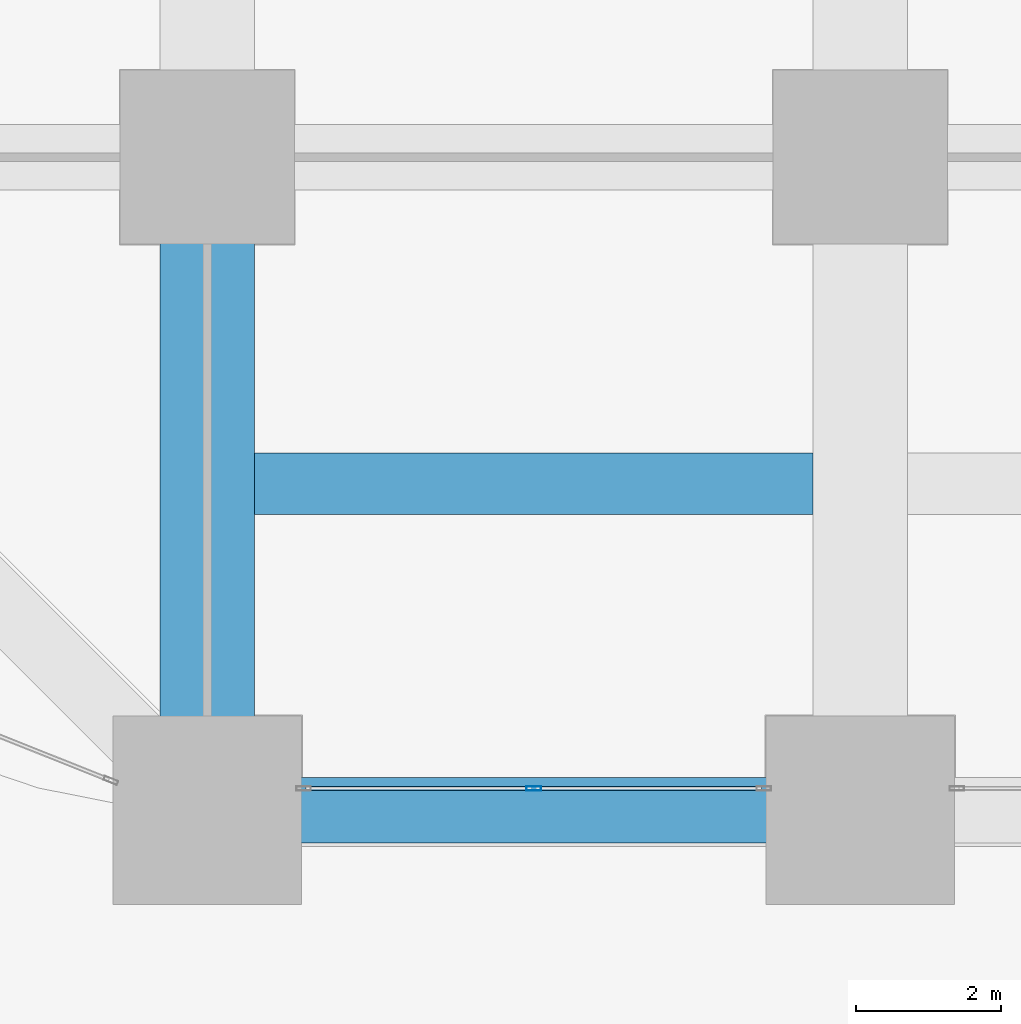
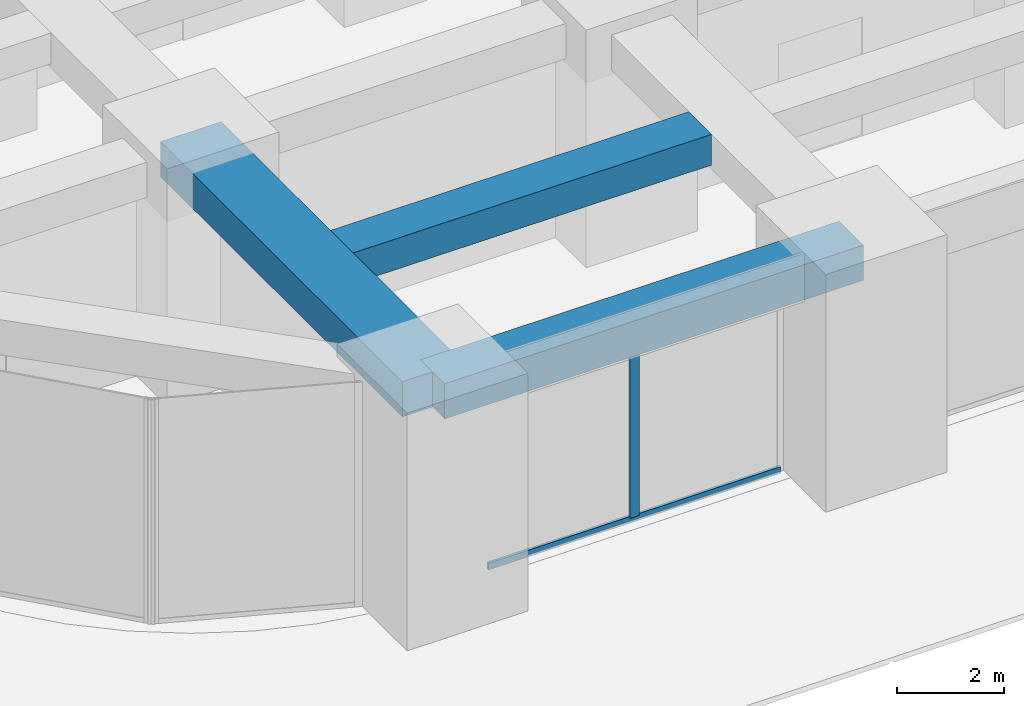
# One storey, part 3 of 56: 3 beams, 2 members, 1 element without a shape of its own.
"""IFC4 building model written with IfcOpenShell, lengths in metres."""

from ifc_helpers import new_model, si_unit, direction, frame, origin, origin_2d, place, context, subcontext, project, spatial, rectangle, hollow_rectangle, extrude, material, material_profile, profile_set, type_object, element, aggregate, save


model = new_model("IFC4")

# Units and contexts
model_context = context("Model", 3, precision=1e-05, world=origin(), true_north=direction((0.0, 1.0)))
body_context = subcontext(model_context, "Body", "Model", "MODEL_VIEW")
ifc_project = project(units=[si_unit("LENGTHUNIT", "METRE"), si_unit("AREAUNIT", "SQUARE_METRE"), si_unit("VOLUMEUNIT", "CUBIC_METRE"), si_unit("PLANEANGLEUNIT", "RADIAN"), si_unit("MASSUNIT", "GRAM", prefix="KILO")], contexts=[model_context])

# Site, building, storey
site_placement = place(None, origin())
site = spatial("IfcSite", under=ifc_project, at=site_placement, CompositionType="ELEMENT")
building_placement = place(site_placement, origin())
building = spatial("IfcBuilding", under=site, at=building_placement, Name="Zorevar Civic Tower", CompositionType="ELEMENT")
storey_placement = place(building_placement, origin())
storey = spatial("IfcBuildingStorey", under=building, at=storey_placement, Name="L00", CompositionType="ELEMENT", Elevation=0.0)

# Beams
ifc_material_1 = material(Name="Concrete C50/60", Category="concrete")
ifc_material_profile_1 = material_profile(ifc_material_1, rectangle(XDim=1.300048828125, YDim=0.800048828125, at=origin_2d()), Name="RC 1300x800")
ifc_profile_set_1 = profile_set([ifc_material_profile_1], Name="Concrete C50/60")
beam_type_1 = type_object("IfcBeamType", Name="Beam RC 1300x800", PredefinedType="BEAM", material=ifc_profile_set_1)
beam_1_placement = place(storey_placement, frame((0.0, 0.0, 4.699951171875), z_axis=(0.0, 1.0, 0.0), x_axis=(-1.0, 0.0, 0.0)))
element("IfcBeam", 1, at=beam_1_placement, inside=storey, type_object=beam_type_1, Name="Girder L01", PredefinedType="BEAM", context=body_context, shape_type="SweptSolid", body=[
    extrude(rectangle(XDim=1.300048828125, YDim=0.800048828125, at=origin_2d()), origin(), (0.0, 0.0, 1.0), 9.0),
])
ifc_material_2 = material(Name="Concrete C50/60", Category="concrete")
ifc_material_profile_2 = material_profile(ifc_material_2, rectangle(XDim=0.85009765625, YDim=0.699951171875, at=origin_2d()), Name="RC 850x700")
ifc_profile_set_2 = profile_set([ifc_material_profile_2], Name="Concrete C50/60")
beam_type_2 = type_object("IfcBeamType", Name="Beam RC 850x700", PredefinedType="BEAM", material=ifc_profile_set_2)
beam_2_placement = place(storey_placement, frame((0.64990234375, 4.5, 4.75), z_axis=(1.0, 0.0, 0.0), x_axis=(0.0, 1.0, 0.0)))
element("IfcBeam", 2, at=beam_2_placement, inside=storey, type_object=beam_type_2, Name="Secondary beam L01", PredefinedType="BEAM", context=body_context, shape_type="SweptSolid", body=[
    extrude(rectangle(XDim=0.85009765625, YDim=0.699951171875, at=origin_2d()), origin(), (0.0, 0.0, 1.0), 7.7001953125),
])

# Curtain wall, members
ifc_material_3 = material(Name="Dark grey solar-control glass in black aluminium frame", Category="aluminium")
curtain_wall_type = type_object("IfcCurtainWallType", Name="Curtain wall CW1 podium", PredefinedType="NOTDEFINED", material=ifc_material_3)
curtain_wall_placement = place(storey_placement, origin())
curtain_wall = element("IfcCurtainWall", 3, at=curtain_wall_placement, inside=storey, type_object=curtain_wall_type, Name="CW1 L00", PredefinedType="NOTDEFINED")
ifc_material_4 = material(Name="Aluminium, black anodised", Category="aluminium")
ifc_material_profile_3 = material_profile(ifc_material_4, hollow_rectangle(XDim=0.06005859375, YDim=0.199951171875, WallThickness=0.00390625, at=origin_2d()), Name="AL 200x60x4")
ifc_profile_set_3 = profile_set([ifc_material_profile_3], Name="Aluminium, black anodised")
member_type_1 = type_object("IfcMemberType", Name="CW1 mullion AL 200x60x4", PredefinedType="MULLION", material=ifc_profile_set_3)
member_1_placement = place(storey_placement, frame((4.5, 0.300048828125, 0.06005859375), z_axis=(0.0, 0.0, 1.0), x_axis=(0.0, 1.0, 0.0)))
member_1 = element("IfcMember", 4, at=member_1_placement, type_object=member_type_1, Name="CW1 mullion 2", PredefinedType="MULLION", context=body_context, shape_type="SweptSolid", body=[
    extrude(hollow_rectangle(XDim=0.06005859375, YDim=0.199951171875, WallThickness=0.00390625, at=origin_2d()), origin(), (0.0, 0.0, 1.0), 4.239990234375),
])
ifc_material_5 = material(Name="Aluminium, black anodised", Category="aluminium")
ifc_material_profile_4 = material_profile(ifc_material_5, hollow_rectangle(XDim=0.06005859375, YDim=0.14990234375, WallThickness=0.00390625, at=origin_2d()), Name="AL 150x60x4")
ifc_profile_set_4 = profile_set([ifc_material_profile_4], Name="Aluminium, black anodised")
member_type_2 = type_object("IfcMemberType", Name="CW1 transom AL 150x60x4", PredefinedType="USERDEFINED", material=ifc_profile_set_4)
member_2_placement = place(storey_placement, frame((1.360107421875, 0.300048828125, 0.030029296875), z_axis=(1.0, 0.0, 0.0), x_axis=(0.0, 1.0, 0.0)))
member_2 = element("IfcMember", 5, at=member_2_placement, type_object=member_type_2, Name="CW1 sill transom", ObjectType="TRANSOM", PredefinedType="USERDEFINED", context=body_context, shape_type="SweptSolid", body=[
    extrude(hollow_rectangle(XDim=0.06005859375, YDim=0.14990234375, WallThickness=0.00390625, at=origin_2d()), origin(), (0.0, 0.0, 1.0), 6.27978515625),
])
aggregate(curtain_wall, [member_1, member_2])

# Beam
ifc_material_6 = material(Name="Concrete C50/60", Category="concrete")
ifc_material_profile_5 = material_profile(ifc_material_6, rectangle(XDim=0.89990234375, YDim=0.800048828125, at=origin_2d()), Name="RC 900x800")
ifc_profile_set_5 = profile_set([ifc_material_profile_5], Name="Concrete C50/60")
beam_type_3 = type_object("IfcBeamType", Name="Edge beam RC 900x800", PredefinedType="SPANDREL", material=ifc_profile_set_5)
beam_3_placement = place(storey_placement, frame((0.0, 0.0, 4.699951171875), z_axis=(1.0, 0.0, 0.0), x_axis=(0.0, 1.0, 0.0)))
element("IfcBeam", 6, at=beam_3_placement, inside=storey, type_object=beam_type_3, Name="Edge beam L01", PredefinedType="SPANDREL", context=body_context, shape_type="SweptSolid", body=[
    extrude(rectangle(XDim=0.89990234375, YDim=0.800048828125, at=origin_2d()), origin(), (0.0, 0.0, 1.0), 9.0),
])

save(model, "model.ifc")
